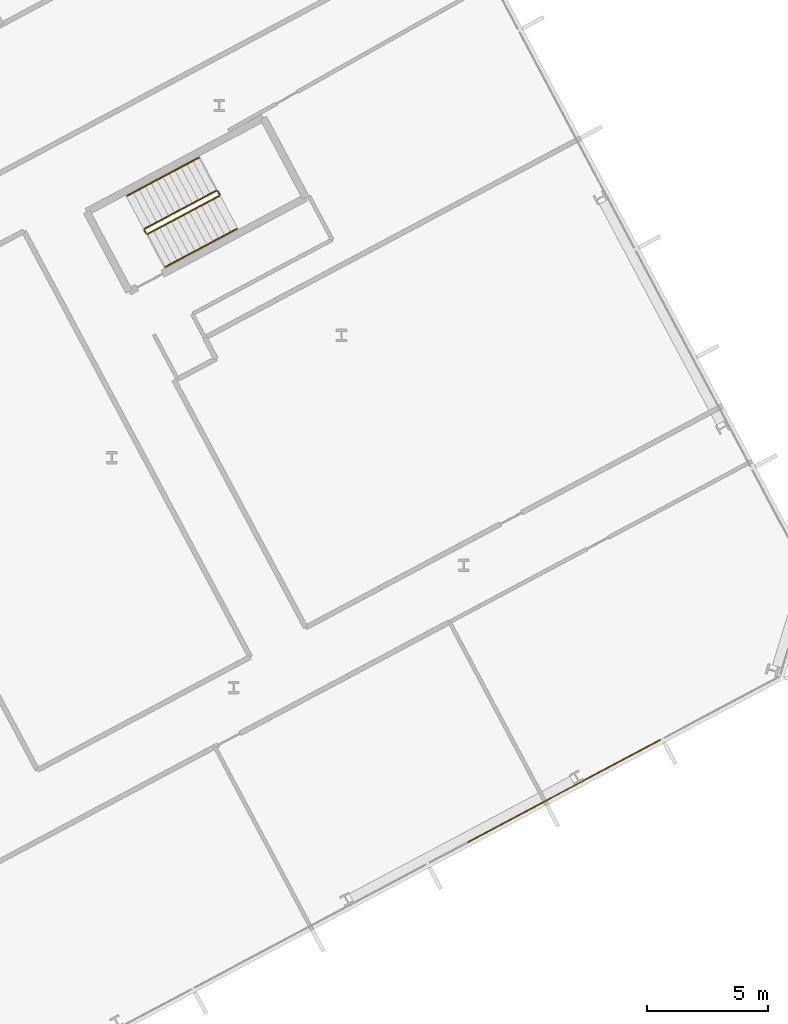
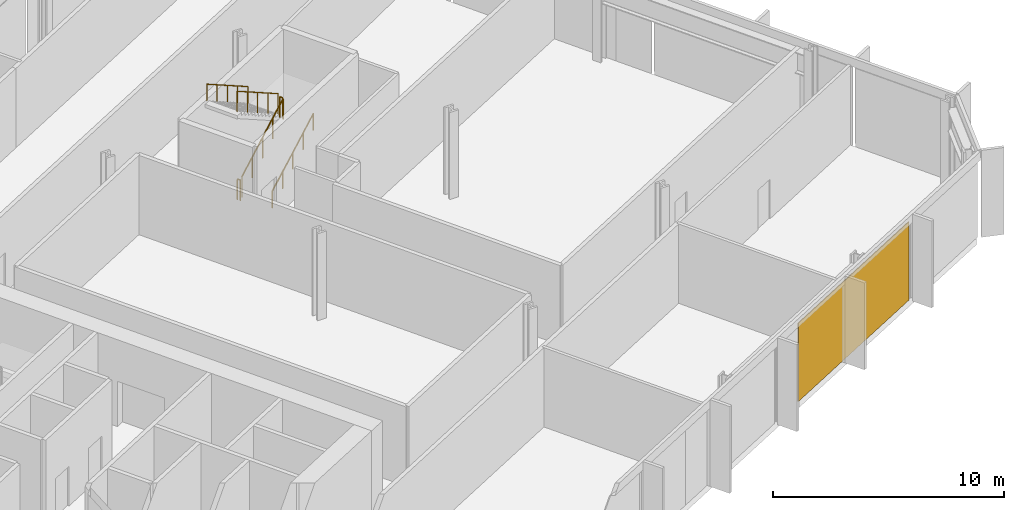
# One storey, part 30 of 31: 6 railings, 1 covering, 1 element without a shape of its own.
"""IFC4 building model written with IfcOpenShell, lengths in metres."""

from ifc_helpers import new_model, si_unit, direction, frame, origin, origin_2d, place, context, subcontext, project, spatial, polyline, rectangle, outline, extrude, material, layer, layer_set, type_object, element, aggregate, save


model = new_model("IFC4")

# Units and contexts
model_context = context("Model", 3, precision=1e-05, world=origin(), true_north=direction((0.0, 1.0)))
body_context = subcontext(model_context, "Body", "Model", "MODEL_VIEW")
ifc_project = project(units=[si_unit("LENGTHUNIT", "METRE"), si_unit("AREAUNIT", "SQUARE_METRE"), si_unit("VOLUMEUNIT", "CUBIC_METRE"), si_unit("PLANEANGLEUNIT", "RADIAN"), si_unit("MASSUNIT", "GRAM", prefix="KILO")], contexts=[model_context])

# Site, building, storey
site_placement = place(None, origin())
site = spatial("IfcSite", under=ifc_project, at=site_placement, CompositionType="ELEMENT")
building_placement = place(site_placement, origin())
building = spatial("IfcBuilding", under=site, at=building_placement, Name="Cormorant Relay Tower", CompositionType="ELEMENT")
storey_placement = place(building_placement, frame((0.0, 0.0, 103.0)))
storey = spatial("IfcBuildingStorey", under=building, at=storey_placement, Name="L20", CompositionType="ELEMENT", Elevation=103.0)

# Curtain wall, covering
ifc_material_1 = material(Name="Aluminium 6063-T6 anodised bronze", Category="aluminium")
ifc_layer_1 = layer(ifc_material_1, 0.199951171875)
ifc_layer_set_1 = layer_set([ifc_layer_1], Name="CW1 unitised bronze curtain wall with vertical fins")
curtain_wall_type = type_object("IfcCurtainWallType", Name="CW1 unitised bronze curtain wall with vertical fins", PredefinedType="NOTDEFINED", material=ifc_layer_set_1)
curtain_wall_placement = place(storey_placement, origin())
curtain_wall = element("IfcCurtainWall", 1, at=curtain_wall_placement, inside=storey, type_object=curtain_wall_type, Name="CW1 curtain wall 2", PredefinedType="NOTDEFINED")
ifc_material_2 = material(Name="Pale bronze anodised aluminium insulated panel", Category="aluminium")
ifc_layer_2 = layer(ifc_material_2, 0.0400390625)
ifc_layer_set_2 = layer_set([ifc_layer_2], Name="CW1 pale bronze insulated panel 40")
covering_type = type_object("IfcCoveringType", Name="CW1 pale bronze insulated panel 40", PredefinedType="CLADDING", material=ifc_layer_set_2)
covering_placement = place(storey_placement, frame((61.85302734375, 9.081298828125, 0.0), z_axis=(0.0, 0.0, 1.0), x_axis=(0.882947592859, 0.469471562786, 0.0)))
covering = element("IfcCovering", 2, at=covering_placement, type_object=covering_type, Name="CW1 panel S13", PredefinedType="CLADDING", context=body_context, shape_type="SweptSolid", body=[
    extrude(rectangle(XDim=9.07373046875, YDim=0.0400390625, at=origin_2d()), origin(), (0.0, 0.0, 1.0), 4.14990234375),
])
aggregate(curtain_wall, [covering])

# Railings
ifc_material_3 = material(Name="Steel ASTM A572 Grade 50 (Fy 345 MPa)", Category="steel")
railing_type_1 = type_object("IfcRailingType", Name="Stair guard 1100", PredefinedType="GUARDRAIL", material=ifc_material_3)
railing_1_placement = place(storey_placement, frame((44.583740234375, 32.186279296875, 0.177001953125)))
element("IfcRailing", 3, at=railing_1_placement, inside=storey, type_object=railing_type_1, Name="L20 RB1 stair guard 1", PredefinedType="GUARDRAIL", context=body_context, shape_type="SweptSolid", body=[
    extrude(outline(polyline([(0.022216796875, 0.00927734375), (0.00927734375, 0.022216796875), (-0.00927734375, 0.022216796875), (-0.022216796875, 0.00927734375), (-0.022216796875, -0.00927734375), (-0.00927734375, -0.022216796875), (0.00927734375, -0.022216796875), (0.022216796875, -0.00927734375), (0.022216796875, 0.00927734375)])), frame((0.0, 0.0, 1.076171875), z_axis=(0.746422470992, 0.396920836698, 0.534141689248), x_axis=(-0.469509342547, 0.882927503967, 0.0)), (0.0, 0.0, 1.0), 3.974609375),
    extrude(outline(polyline([(0.019287109375, 0.008056640625), (0.008056640625, 0.019287109375), (-0.008056640625, 0.019287109375), (-0.019287109375, 0.008056640625), (-0.019287109375, -0.008056640625), (-0.008056640625, -0.019287109375), (0.008056640625, -0.019287109375), (0.019287109375, -0.008056640625), (0.019287109375, 0.008056640625)])), origin(), (0.0, 0.0, 1.0), 1.052001953125),
    extrude(outline(polyline([(0.019287109375, 0.008056640625), (0.008056640625, 0.019287109375), (-0.008056640625, 0.019287109375), (-0.019287109375, 0.008056640625), (-0.019287109375, -0.008056640625), (-0.008056640625, -0.019287109375), (0.008056640625, -0.019287109375), (0.019287109375, -0.008056640625), (0.019287109375, 0.008056640625)])), frame((0.74169921875, 0.39453125, 0.53076171875)), (0.0, 0.0, 1.0), 1.052001953125),
    extrude(outline(polyline([(0.019287109375, 0.008056640625), (0.008056640625, 0.019287109375), (-0.008056640625, 0.019287109375), (-0.019287109375, 0.008056640625), (-0.019287109375, -0.008056640625), (-0.008056640625, -0.019287109375), (0.008056640625, -0.019287109375), (0.019287109375, -0.008056640625), (0.019287109375, 0.008056640625)])), frame((1.4833984375, 0.788818359375, 1.0615234375)), (0.0, 0.0, 1.0), 1.052001953125),
    extrude(outline(polyline([(0.019287109375, 0.008056640625), (0.008056640625, 0.019287109375), (-0.008056640625, 0.019287109375), (-0.019287109375, 0.008056640625), (-0.019287109375, -0.008056640625), (-0.008056640625, -0.019287109375), (0.008056640625, -0.019287109375), (0.019287109375, -0.008056640625), (0.019287109375, 0.008056640625)])), frame((2.22509765625, 1.18310546875, 1.59228515625)), (0.0, 0.0, 1.0), 1.052001953125),
    extrude(outline(polyline([(0.019287109375, 0.008056640625), (0.008056640625, 0.019287109375), (-0.008056640625, 0.019287109375), (-0.019287109375, 0.008056640625), (-0.019287109375, -0.008056640625), (-0.008056640625, -0.019287109375), (0.008056640625, -0.019287109375), (0.019287109375, -0.008056640625), (0.019287109375, 0.008056640625)])), frame((2.966796875, 1.57763671875, 2.123046875)), (0.0, 0.0, 1.0), 1.052001953125),
])
railing_2_placement = place(storey_placement, frame((47.571044921875, 33.831298828125, 2.300048828125)))
element("IfcRailing", 4, at=railing_2_placement, inside=storey, type_object=railing_type_1, Name="L20 RB1 stair guard 2", PredefinedType="GUARDRAIL", context=body_context, shape_type="SweptSolid", body=[
    extrude(outline(polyline([(0.022216796875, 0.00927734375), (0.00927734375, 0.022216796875), (-0.00927734375, 0.022216796875), (-0.022216796875, 0.00927734375), (-0.022216796875, -0.00927734375), (-0.00927734375, -0.022216796875), (0.00927734375, -0.022216796875), (0.022216796875, -0.00927734375), (0.022216796875, 0.00927734375)])), frame((0.0, 0.0, 1.076171875), z_axis=(-0.46856034887, 0.8834314911, 0.0), x_axis=(-0.8834314911, -0.46856034887, 0.0)), (0.0, 0.0, 1.0), 0.150146484375),
    extrude(outline(polyline([(0.019287109375, 0.008056640625), (0.008056640625, 0.019287109375), (-0.008056640625, 0.019287109375), (-0.019287109375, 0.008056640625), (-0.019287109375, -0.008056640625), (-0.008056640625, -0.019287109375), (0.008056640625, -0.019287109375), (0.019287109375, -0.008056640625), (0.019287109375, 0.008056640625)])), origin(), (0.0, 0.0, 1.0), 1.052001953125),
    extrude(outline(polyline([(0.019287109375, 0.008056640625), (0.008056640625, 0.019287109375), (-0.008056640625, 0.019287109375), (-0.019287109375, 0.008056640625), (-0.019287109375, -0.008056640625), (-0.008056640625, -0.019287109375), (0.008056640625, -0.019287109375), (0.019287109375, -0.008056640625), (0.019287109375, 0.008056640625)])), frame((-0.0703125, 0.132568359375, 0.0)), (0.0, 0.0, 1.0), 1.052001953125),
])
railing_3_placement = place(storey_placement, frame((47.43310546875, 33.984619140625, 2.476806640625)))
element("IfcRailing", 5, at=railing_3_placement, inside=storey, type_object=railing_type_1, Name="L20 RB1 stair guard 3", PredefinedType="GUARDRAIL", context=body_context, shape_type="SweptSolid", body=[
    extrude(outline(polyline([(0.022216796875, 0.00927734375), (0.00927734375, 0.022216796875), (-0.00927734375, 0.022216796875), (-0.022216796875, 0.00927734375), (-0.022216796875, -0.00927734375), (-0.00927734375, -0.022216796875), (0.00927734375, -0.022216796875), (0.022216796875, -0.00927734375), (0.022216796875, 0.00927734375)])), frame((0.0, 0.0, 1.076171875), z_axis=(-0.746416176936, -0.396856066424, 0.534198608526), x_axis=(0.46945269911, -0.882957622595, 0.0)), (0.0, 0.0, 1.0), 3.974609375),
    extrude(outline(polyline([(0.019287109375, 0.008056640625), (0.008056640625, 0.019287109375), (-0.008056640625, 0.019287109375), (-0.019287109375, 0.008056640625), (-0.019287109375, -0.008056640625), (-0.008056640625, -0.019287109375), (0.008056640625, -0.019287109375), (0.019287109375, -0.008056640625), (0.019287109375, 0.008056640625)])), origin(), (0.0, 0.0, 1.0), 1.052001953125),
    extrude(outline(polyline([(0.019287109375, 0.008056640625), (0.008056640625, 0.019287109375), (-0.008056640625, 0.019287109375), (-0.019287109375, 0.008056640625), (-0.019287109375, -0.008056640625), (-0.008056640625, -0.019287109375), (0.008056640625, -0.019287109375), (0.019287109375, -0.008056640625), (0.019287109375, 0.008056640625)])), frame((-0.74169921875, -0.394287109375, 0.53076171875)), (0.0, 0.0, 1.0), 1.052001953125),
    extrude(outline(polyline([(0.019287109375, 0.008056640625), (0.008056640625, 0.019287109375), (-0.008056640625, 0.019287109375), (-0.019287109375, 0.008056640625), (-0.019287109375, -0.008056640625), (-0.008056640625, -0.019287109375), (0.008056640625, -0.019287109375), (0.019287109375, -0.008056640625), (0.019287109375, 0.008056640625)])), frame((-1.4833984375, -0.78857421875, 1.0615234375)), (0.0, 0.0, 1.0), 1.052001953125),
    extrude(outline(polyline([(0.019287109375, 0.008056640625), (0.008056640625, 0.019287109375), (-0.008056640625, 0.019287109375), (-0.019287109375, 0.008056640625), (-0.019287109375, -0.008056640625), (-0.008056640625, -0.019287109375), (0.008056640625, -0.019287109375), (0.019287109375, -0.008056640625), (0.019287109375, 0.008056640625)])), frame((-2.22509765625, -1.18310546875, 1.592529296875)), (0.0, 0.0, 1.0), 1.052001953125),
    extrude(outline(polyline([(0.019287109375, 0.008056640625), (0.008056640625, 0.019287109375), (-0.008056640625, 0.019287109375), (-0.019287109375, 0.008056640625), (-0.019287109375, -0.008056640625), (-0.008056640625, -0.019287109375), (0.008056640625, -0.019287109375), (0.019287109375, -0.008056640625), (0.019287109375, 0.008056640625)])), frame((-2.966796875, -1.577392578125, 2.123291015625)), (0.0, 0.0, 1.0), 1.052001953125),
])
railing_4_placement = place(storey_placement, frame((44.51611328125, 32.20703125, 0.0)))
element("IfcRailing", 6, at=railing_4_placement, inside=storey, type_object=railing_type_1, Name="L20 RB1 stair guard 4", PredefinedType="GUARDRAIL", context=body_context, shape_type="SweptSolid", body=[
    extrude(outline(polyline([(0.022216796875, 0.00927734375), (0.00927734375, 0.022216796875), (-0.00927734375, 0.022216796875), (-0.022216796875, 0.00927734375), (-0.022216796875, -0.00927734375), (-0.00927734375, -0.022216796875), (0.00927734375, -0.022216796875), (0.022216796875, -0.00927734375), (0.022216796875, 0.00927734375)])), frame((0.0, 0.0, 1.076171875), z_axis=(-0.46856034887, 0.8834314911, 0.0), x_axis=(-0.8834314911, -0.46856034887, 0.0)), (0.0, 0.0, 1.0), 0.150146484375),
    extrude(outline(polyline([(0.019287109375, 0.008056640625), (0.008056640625, 0.019287109375), (-0.008056640625, 0.019287109375), (-0.019287109375, 0.008056640625), (-0.019287109375, -0.008056640625), (-0.008056640625, -0.019287109375), (0.008056640625, -0.019287109375), (0.019287109375, -0.008056640625), (0.019287109375, 0.008056640625)])), origin(), (0.0, 0.0, 1.0), 1.052001953125),
    extrude(outline(polyline([(0.019287109375, 0.008056640625), (0.008056640625, 0.019287109375), (-0.008056640625, 0.019287109375), (-0.019287109375, 0.008056640625), (-0.019287109375, -0.008056640625), (-0.008056640625, -0.019287109375), (0.008056640625, -0.019287109375), (0.019287109375, -0.008056640625), (0.019287109375, 0.008056640625)])), frame((-0.0703125, 0.132568359375, 0.0)), (0.0, 0.0, 1.0), 1.052001953125),
])
ifc_material_4 = material(Name="Steel ASTM A572 Grade 50 (Fy 345 MPa)", Category="steel")
railing_type_2 = type_object("IfcRailingType", Name="Stair handrail 900", PredefinedType="HANDRAIL", material=ifc_material_4)
railing_5_placement = place(storey_placement, frame((45.3115234375, 30.81787109375, 0.177001953125)))
element("IfcRailing", 7, at=railing_5_placement, inside=storey, type_object=railing_type_2, Name="L20 RB1 stair handrail 1", PredefinedType="HANDRAIL", context=body_context, shape_type="SweptSolid", body=[
    extrude(outline(polyline([(0.022216796875, 0.00927734375), (0.00927734375, 0.022216796875), (-0.00927734375, 0.022216796875), (-0.022216796875, 0.00927734375), (-0.022216796875, -0.00927734375), (-0.00927734375, -0.022216796875), (0.00927734375, -0.022216796875), (0.022216796875, -0.00927734375), (0.022216796875, 0.00927734375)])), frame((0.0, 0.0, 0.8759765625), z_axis=(0.746413465702, 0.396887285154, 0.534179203172), x_axis=(-0.469482818608, 0.88294160794, 0.0)), (0.0, 0.0, 1.0), 3.974365234375),
    extrude(outline(polyline([(0.019287109375, 0.008056640625), (0.008056640625, 0.019287109375), (-0.008056640625, 0.019287109375), (-0.019287109375, 0.008056640625), (-0.019287109375, -0.008056640625), (-0.008056640625, -0.019287109375), (0.008056640625, -0.019287109375), (0.019287109375, -0.008056640625), (0.019287109375, 0.008056640625)])), origin(), (0.0, 0.0, 1.0), 0.851806640625),
    extrude(outline(polyline([(0.019287109375, 0.008056640625), (0.008056640625, 0.019287109375), (-0.008056640625, 0.019287109375), (-0.019287109375, 0.008056640625), (-0.019287109375, -0.008056640625), (-0.008056640625, -0.019287109375), (0.008056640625, -0.019287109375), (0.019287109375, -0.008056640625), (0.019287109375, 0.008056640625)])), frame((0.74169921875, 0.394287109375, 0.53076171875)), (0.0, 0.0, 1.0), 0.851806640625),
    extrude(outline(polyline([(0.019287109375, 0.008056640625), (0.008056640625, 0.019287109375), (-0.008056640625, 0.019287109375), (-0.019287109375, 0.008056640625), (-0.019287109375, -0.008056640625), (-0.008056640625, -0.019287109375), (0.008056640625, -0.019287109375), (0.019287109375, -0.008056640625), (0.019287109375, 0.008056640625)])), frame((1.4833984375, 0.78857421875, 1.0615234375)), (0.0, 0.0, 1.0), 0.851806640625),
    extrude(outline(polyline([(0.019287109375, 0.008056640625), (0.008056640625, 0.019287109375), (-0.008056640625, 0.019287109375), (-0.019287109375, 0.008056640625), (-0.019287109375, -0.008056640625), (-0.008056640625, -0.019287109375), (0.008056640625, -0.019287109375), (0.019287109375, -0.008056640625), (0.019287109375, 0.008056640625)])), frame((2.224853515625, 1.18310546875, 1.59228515625)), (0.0, 0.0, 1.0), 0.851806640625),
    extrude(outline(polyline([(0.019287109375, 0.008056640625), (0.008056640625, 0.019287109375), (-0.008056640625, 0.019287109375), (-0.019287109375, 0.008056640625), (-0.019287109375, -0.008056640625), (-0.008056640625, -0.019287109375), (0.008056640625, -0.019287109375), (0.019287109375, -0.008056640625), (0.019287109375, 0.008056640625)])), frame((2.966552734375, 1.577392578125, 2.123046875)), (0.0, 0.0, 1.0), 0.851806640625),
])
railing_6_placement = place(storey_placement, frame((46.705322265625, 35.35302734375, 2.476806640625)))
element("IfcRailing", 8, at=railing_6_placement, inside=storey, type_object=railing_type_2, Name="L20 RB1 stair handrail 2", PredefinedType="HANDRAIL", context=body_context, shape_type="SweptSolid", body=[
    extrude(outline(polyline([(0.022216796875, 0.00927734375), (0.00927734375, 0.022216796875), (-0.00927734375, 0.022216796875), (-0.022216796875, 0.00927734375), (-0.022216796875, -0.00927734375), (-0.00927734375, -0.022216796875), (0.00927734375, -0.022216796875), (0.022216796875, -0.00927734375), (0.022216796875, 0.00927734375)])), frame((0.0, 0.0, 0.8759765625), z_axis=(-0.746388972956, -0.396874261729, 0.534223100798), x_axis=(0.469482818608, -0.88294160794, 0.0)), (0.0, 0.0, 1.0), 3.974609375),
    extrude(outline(polyline([(0.019287109375, 0.008056640625), (0.008056640625, 0.019287109375), (-0.008056640625, 0.019287109375), (-0.019287109375, 0.008056640625), (-0.019287109375, -0.008056640625), (-0.008056640625, -0.019287109375), (0.008056640625, -0.019287109375), (0.019287109375, -0.008056640625), (0.019287109375, 0.008056640625)])), origin(), (0.0, 0.0, 1.0), 0.851806640625),
    extrude(outline(polyline([(0.019287109375, 0.008056640625), (0.008056640625, 0.019287109375), (-0.008056640625, 0.019287109375), (-0.019287109375, 0.008056640625), (-0.019287109375, -0.008056640625), (-0.008056640625, -0.019287109375), (0.008056640625, -0.019287109375), (0.019287109375, -0.008056640625), (0.019287109375, 0.008056640625)])), frame((-0.74169921875, -0.394287109375, 0.53076171875)), (0.0, 0.0, 1.0), 0.851806640625),
    extrude(outline(polyline([(0.019287109375, 0.008056640625), (0.008056640625, 0.019287109375), (-0.008056640625, 0.019287109375), (-0.019287109375, 0.008056640625), (-0.019287109375, -0.008056640625), (-0.008056640625, -0.019287109375), (0.008056640625, -0.019287109375), (0.019287109375, -0.008056640625), (0.019287109375, 0.008056640625)])), frame((-1.4833984375, -0.78857421875, 1.0615234375)), (0.0, 0.0, 1.0), 0.851806640625),
    extrude(outline(polyline([(0.019287109375, 0.008056640625), (0.008056640625, 0.019287109375), (-0.008056640625, 0.019287109375), (-0.019287109375, 0.008056640625), (-0.019287109375, -0.008056640625), (-0.008056640625, -0.019287109375), (0.008056640625, -0.019287109375), (0.019287109375, -0.008056640625), (0.019287109375, 0.008056640625)])), frame((-2.224853515625, -1.18310546875, 1.592529296875)), (0.0, 0.0, 1.0), 0.851806640625),
    extrude(outline(polyline([(0.019287109375, 0.008056640625), (0.008056640625, 0.019287109375), (-0.008056640625, 0.019287109375), (-0.019287109375, 0.008056640625), (-0.019287109375, -0.008056640625), (-0.008056640625, -0.019287109375), (0.008056640625, -0.019287109375), (0.019287109375, -0.008056640625), (0.019287109375, 0.008056640625)])), frame((-2.966552734375, -1.577392578125, 2.123291015625)), (0.0, 0.0, 1.0), 0.851806640625),
])

save(model, "model.ifc")
